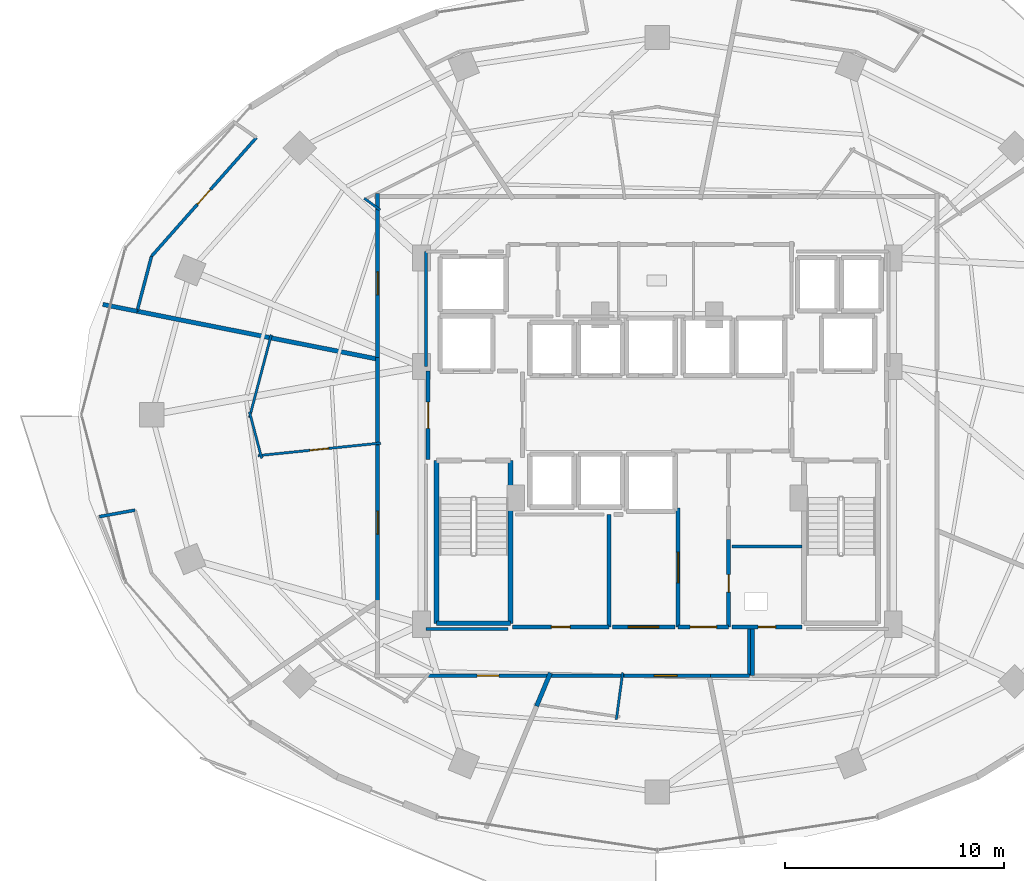
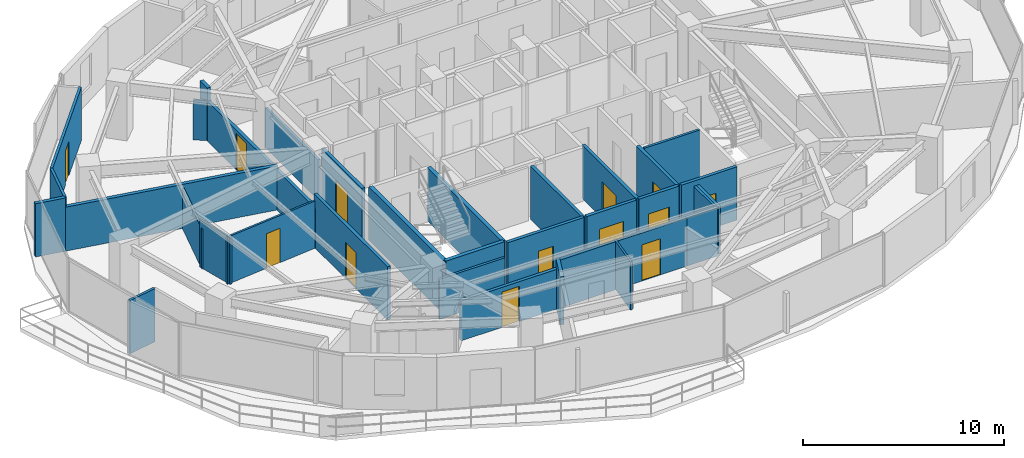
# One storey, part 23 of 30: 35 walls, 13 doors, 13 openings.
"""IFC4 building model written with IfcOpenShell, lengths in metres."""

from ifc_helpers import new_model, si_unit, direction, frame, frame_2d, origin, place, context, subcontext, project, spatial, rectangle, extrude, material, layer, layer_set, type_object, element, fill, save


model = new_model("IFC4")

# Units and contexts
model_context = context("Model", 3, precision=1e-05, world=origin(), true_north=direction((0.0, 1.0)))
body_context = subcontext(model_context, "Body", "Model", "MODEL_VIEW")
ifc_project = project(units=[si_unit("LENGTHUNIT", "METRE"), si_unit("AREAUNIT", "SQUARE_METRE"), si_unit("VOLUMEUNIT", "CUBIC_METRE"), si_unit("PLANEANGLEUNIT", "RADIAN"), si_unit("MASSUNIT", "GRAM", prefix="KILO")], contexts=[model_context])

# Site, building, storey
site_placement = place(None, origin())
site = spatial("IfcSite", under=ifc_project, at=site_placement, CompositionType="ELEMENT")
building_placement = place(site_placement, origin())
building = spatial("IfcBuilding", under=site, at=building_placement, Name="Vorneva Point Tower", CompositionType="ELEMENT")
storey_placement = place(building_placement, frame((0.0, 0.0, 78.800048828125)))
storey = spatial("IfcBuildingStorey", under=building, at=storey_placement, Name="L20", CompositionType="ELEMENT", Elevation=78.800048828125)

# Wall
ifc_material_1 = material(Name="Fire-rated acoustic gypsum stud partition", Category="gypsum")
ifc_layer_1 = layer(ifc_material_1, 0.110107421875)
ifc_layer_set_1 = layer_set([ifc_layer_1], Name="Fire-rated acoustic gypsum stud partition")
wall_type_1 = type_object("IfcWallType", Name="WL-PART-110", PredefinedType="PARTITIONING", material=ifc_layer_set_1)
wall_1_placement = place(storey_placement, frame((25.362548828125, 35.333740234375, 0.0), z_axis=(0.0, 0.0, 1.0), x_axis=(-0.804215638238, 0.594337620561, 0.0)))
element("IfcWall", 1, at=wall_1_placement, inside=storey, type_object=wall_type_1, Name="L20 Interior Partition 068", PredefinedType="PARTITIONING", context=body_context, shape_type="SweptSolid", body=[
    extrude(rectangle(XDim=0.899169921875, YDim=0.110107421875, at=frame_2d((0.44970703125, 0.0))), origin(), (0.0, 0.0, 1.0), 2.431884765625),
])

# Wall, opening, door
wall_2_placement = place(storey_placement, frame((25.389404296875, 24.708251953125, 0.0), z_axis=(0.0, 0.0, 1.0), x_axis=(-0.994782905304, -0.102014564227, 0.0)))
wall_2 = element("IfcWall", 2, at=wall_2_placement, inside=storey, type_object=wall_type_1, Name="L20 Interior Partition 076", PredefinedType="PARTITIONING", context=body_context, shape_type="SweptSolid", body=[
    extrude(rectangle(XDim=5.631103515625, YDim=0.110107421875, at=frame_2d((2.8154296875, 0.0))), origin(), (0.0, 0.0, 1.0), 2.8740234375),
])
opening_1_placement = place(wall_2_placement, frame((2.390380859375, 0.0, 0.0)))
opening_1 = element("IfcOpeningElement", 3, at=opening_1_placement, cuts=wall_2, Name="Opening ID-02", PredefinedType="OPENING", context=body_context, shape_type="SweptSolid", body=[
    extrude(rectangle(XDim=0.85009765625, YDim=2.10009765625, at=frame_2d((0.425048828125, 1.050048828125))), frame((0.0, 0.06982421875, 0.0), z_axis=(0.0, -1.0, 0.0), x_axis=(1.0, 0.0, 0.0)), (0.0, 0.0, 1.0), 0.139892578125),
])
ifc_material_2 = material(Name="Engineered oak fire-rated door leaf", Category="wood")
door_type_1 = type_object("IfcDoorType", Name="DR-BATH-850", OperationType="NOTDEFINED", PredefinedType="DOOR", material=ifc_material_2)
door_1_placement = place(opening_1_placement, origin())
door_1 = element("IfcDoor", 4, at=door_1_placement, inside=storey, type_object=door_type_1, Name="L20 Door Corner Suite L20-04 / En-Suite Bathroom L20-04", OperationType="SINGLE_SWING_LEFT", OverallHeight=2.10009765625, OverallWidth=0.85009765625, PredefinedType="DOOR", context=body_context, shape_type="SweptSolid", body=[
    extrude(rectangle(XDim=0.85009765625, YDim=2.10009765625, at=frame_2d((0.425048828125, 1.050048828125))), frame((0.0, 0.02490234375, 0.0), z_axis=(0.0, -1.0, 0.0), x_axis=(1.0, 0.0, 0.0)), (0.0, 0.0, 1.0), 0.050048828125),
])
fill(opening_1, door_1)

# Walls
wall_3_placement = place(storey_placement, frame((19.962646484375, 24.0126953125, 0.0), z_axis=(0.0, 0.0, 1.0), x_axis=(-0.254372850976, 0.967106226165, 0.0)))
element("IfcWall", 5, at=wall_3_placement, inside=storey, type_object=wall_type_1, Name="L20 Interior Partition 077", PredefinedType="PARTITIONING", context=body_context, shape_type="SweptSolid", body=[
    extrude(rectangle(XDim=2.195068359375, YDim=0.110107421875, at=frame_2d((1.09765625, 0.0))), origin(), (0.0, 0.0, 1.0), 2.8740234375),
])
wall_4_placement = place(storey_placement, frame((19.404296875, 25.864501953125, 0.0), z_axis=(0.0, 0.0, 1.0), x_axis=(0.254484072837, 0.967076965227, 0.0)))
element("IfcWall", 6, at=wall_4_placement, inside=storey, type_object=wall_type_1, Name="L20 Interior Partition 078", PredefinedType="PARTITIONING", context=body_context, shape_type="SweptSolid", body=[
    extrude(rectangle(XDim=3.907470703125, YDim=0.110107421875, at=frame_2d((1.95361328125, 0.0))), origin(), (0.0, 0.0, 1.0), 2.431884765625),
])
wall_5_placement = place(storey_placement, frame((36.420654296875, 14.23876953125, 0.0), z_axis=(0.0, 0.0, 1.0), x_axis=(-0.133358508544, -0.99106786256, 0.0)))
element("IfcWall", 7, at=wall_5_placement, inside=storey, type_object=wall_type_1, Name="L20 Interior Partition 090", PredefinedType="PARTITIONING", context=body_context, shape_type="SweptSolid", body=[
    extrude(rectangle(XDim=2.15478515625, YDim=0.110107421875, at=frame_2d((1.077392578125, 0.0))), origin(), (0.0, 0.0, 1.0), 2.921875),
])
ifc_layer_2 = layer(ifc_material_1, 0.139892578125)
ifc_layer_set_2 = layer_set([ifc_layer_2], Name="Fire-rated acoustic gypsum stud partition")
wall_type_2 = type_object("IfcWallType", Name="WL-PART-140", PredefinedType="PARTITIONING", material=ifc_layer_set_2)
wall_6_placement = place(storey_placement, frame((44.60009765625, 20.0, 0.0), z_axis=(0.0, 0.0, 1.0), x_axis=(-1.0, 0.0, 0.0)))
element("IfcWall", 8, at=wall_6_placement, inside=storey, type_object=wall_type_2, Name="L20 Interior Partition 015", PredefinedType="PARTITIONING", context=body_context, shape_type="SweptSolid", body=[
    extrude(rectangle(XDim=3.2001953125, YDim=0.139892578125, at=frame_2d((1.60009765625, 0.0))), origin(), (0.0, 0.0, 1.0), 3.239990234375),
])

# Wall, opening, door
wall_7_placement = place(storey_placement, frame((19.719970703125, 38.634033203125, 0.0), z_axis=(0.0, 0.0, 1.0), x_axis=(-0.662133761628, -0.74938566954, 0.0)))
wall_7 = element("IfcWall", 9, at=wall_7_placement, inside=storey, type_object=wall_type_2, Name="L20 Interior Partition 072", PredefinedType="PARTITIONING", context=body_context, shape_type="SweptSolid", body=[
    extrude(rectangle(XDim=7.21923828125, YDim=0.139892578125, at=frame_2d((3.609619140625, 0.0))), origin(), (0.0, 0.0, 1.0), 3.239990234375),
])
opening_2_placement = place(wall_7_placement, frame((3.15966796875, 0.0, 0.0)))
opening_2 = element("IfcOpeningElement", 10, at=opening_2_placement, cuts=wall_7, Name="Opening ID-01", PredefinedType="OPENING", context=body_context, shape_type="SweptSolid", body=[
    extrude(rectangle(XDim=0.89990234375, YDim=2.10009765625, at=frame_2d((0.449951171875, 1.050048828125))), frame((0.0, 0.0849609375, 0.0), z_axis=(0.0, -1.0, 0.0), x_axis=(1.0, 0.0, 0.0)), (0.0, 0.0, 1.0), 0.169677734375),
])
door_type_2 = type_object("IfcDoorType", Name="DR-ROOM-900", OperationType="NOTDEFINED", PredefinedType="DOOR", material=ifc_material_2)
door_2_placement = place(opening_2_placement, origin())
door_2 = element("IfcDoor", 11, at=door_2_placement, inside=storey, type_object=door_type_2, Name="L20 Door Executive Suite L20-03 / Suite Sitting Study L20-03", OperationType="SINGLE_SWING_RIGHT", OverallHeight=2.10009765625, OverallWidth=0.89990234375, PredefinedType="DOOR", context=body_context, shape_type="SweptSolid", body=[
    extrude(rectangle(XDim=0.89990234375, YDim=2.10009765625, at=frame_2d((0.449951171875, 1.050048828125))), frame((0.0, 0.02490234375, 0.0), z_axis=(0.0, -1.0, 0.0), x_axis=(1.0, 0.0, 0.0)), (0.0, 0.0, 1.0), 0.050048828125),
])
fill(opening_2, door_2)

# Walls
wall_8_placement = place(storey_placement, frame((14.93994140625, 33.22412109375, 0.0), z_axis=(0.0, 0.0, 1.0), x_axis=(-0.254289240103, -0.967128214027, 0.0)))
element("IfcWall", 12, at=wall_8_placement, inside=storey, type_object=wall_type_2, Name="L20 Interior Partition 073", PredefinedType="PARTITIONING", context=body_context, shape_type="SweptSolid", body=[
    extrude(rectangle(XDim=2.59130859375, YDim=0.139892578125, at=frame_2d((1.295654296875, 0.0))), origin(), (0.0, 0.0, 1.0), 3.239990234375),
])
wall_9_placement = place(storey_placement, frame((12.56689453125, 21.35498046875, 0.0), z_axis=(0.0, 0.0, 1.0), x_axis=(0.983774720513, 0.179408191784, 0.0)))
element("IfcWall", 13, at=wall_9_placement, inside=storey, type_object=wall_type_2, Name="L20 Interior Partition 080", PredefinedType="PARTITIONING", context=body_context, shape_type="SweptSolid", body=[
    extrude(rectangle(XDim=1.643798828125, YDim=0.139892578125, at=frame_2d((0.82177734375, 0.0))), origin(), (0.0, 0.0, 1.0), 3.239990234375),
])
wall_10_placement = place(storey_placement, frame((31.195068359375, 16.239990234375, 0.0), z_axis=(0.0, 0.0, 1.0), x_axis=(-1.0, 0.0, 0.0)))
element("IfcWall", 14, at=wall_10_placement, inside=storey, type_object=wall_type_2, Name="L20 Interior Closure Partition 108", PredefinedType="PARTITIONING", context=body_context, shape_type="SweptSolid", body=[
    extrude(rectangle(XDim=3.7451171875, YDim=0.139892578125, at=frame_2d((1.87255859375, 0.0))), origin(), (0.0, 0.0, 1.0), 2.431884765625),
])
wall_11_placement = place(storey_placement, frame((27.449951171875, 28.196044921875, 0.0), z_axis=(0.0, 0.0, 1.0), x_axis=(0.0, 1.0, 0.0)))
element("IfcWall", 15, at=wall_11_placement, inside=storey, type_object=wall_type_2, Name="L20 Interior Closure Partition 110", PredefinedType="PARTITIONING", context=body_context, shape_type="SweptSolid", body=[
    extrude(rectangle(XDim=5.25390625, YDim=0.139892578125, at=frame_2d((2.626953125, 0.0))), origin(), (0.0, 0.0, 1.0), 2.431884765625),
])

# Wall, opening, door
ifc_material_3 = material(Name="Autoclaved aerated concrete blockwork", Category="masonry")
ifc_layer_3 = layer(ifc_material_3, 0.179931640625)
ifc_layer_set_3 = layer_set([ifc_layer_3], Name="Autoclaved aerated concrete blockwork")
wall_type_3 = type_object("IfcWallType", Name="WL-PART-180", PredefinedType="PARTITIONING", material=ifc_layer_set_3)
wall_12_placement = place(storey_placement, frame((27.550048828125, 28.0, 0.0), z_axis=(0.0, 0.0, 1.0), x_axis=(0.0, -1.0, 0.0)))
wall_12 = element("IfcWall", 16, at=wall_12_placement, inside=storey, type_object=wall_type_3, Name="L20 Interior Partition 002", PredefinedType="PARTITIONING", context=body_context, shape_type="SweptSolid", body=[
    extrude(rectangle(XDim=4.050048828125, YDim=0.179931640625, at=frame_2d((2.02490234375, 0.0))), origin(), (0.0, 0.0, 1.0), 3.239990234375),
])
opening_3_placement = place(wall_12_placement, frame((1.425048828125, 0.0, 0.0)))
opening_3 = element("IfcOpeningElement", 17, at=opening_3_placement, cuts=wall_12, Name="Opening FD-02", PredefinedType="OPENING", context=body_context, shape_type="SweptSolid", body=[
    extrude(rectangle(XDim=1.199951171875, YDim=2.14990234375, at=frame_2d((0.60009765625, 1.074951171875))), frame((0.0, 0.10498046875, 0.0), z_axis=(0.0, -1.0, 0.0), x_axis=(1.0, 0.0, 0.0)), (0.0, 0.0, 1.0), 0.209716796875),
])
ifc_material_4 = material(Name="Fire-rated powder-coated steel", Category="steel")
door_type_3 = type_object("IfcDoorType", Name="DR-FFL-1200", OperationType="NOTDEFINED", PredefinedType="DOOR", material=ifc_material_4)
door_3_placement = place(opening_3_placement, origin())
door_3 = element("IfcDoor", 18, at=door_3_placement, inside=storey, type_object=door_type_3, Name="L20 Door West Firefighting Lobby / L20 Circulation Corridor", OperationType="SINGLE_SWING_RIGHT", OverallHeight=2.14990234375, OverallWidth=1.199951171875, PredefinedType="DOOR", context=body_context, shape_type="SweptSolid", body=[
    extrude(rectangle(XDim=1.199951171875, YDim=2.14990234375, at=frame_2d((0.60009765625, 1.074951171875))), frame((0.0, 0.02490234375, 0.0), z_axis=(0.0, -1.0, 0.0), x_axis=(1.0, 0.0, 0.0)), (0.0, 0.0, 1.0), 0.050048828125),
])
fill(opening_3, door_3)

wall_13_placement = place(storey_placement, frame((41.25, 16.320068359375, 0.0), z_axis=(0.0, 0.0, 1.0), x_axis=(0.0, 1.0, 0.0)))
wall_13 = element("IfcWall", 19, at=wall_13_placement, inside=storey, type_object=wall_type_3, Name="L20 Interior Partition 011", PredefinedType="PARTITIONING", context=body_context, shape_type="SweptSolid", body=[
    extrude(rectangle(XDim=3.98486328125, YDim=0.179931640625, at=frame_2d((1.992431640625, 0.0))), origin(), (0.0, 0.0, 1.0), 3.239990234375),
])
opening_4_placement = place(wall_13_placement, frame((1.592529296875, 0.0, 0.0)))
opening_4 = element("IfcOpeningElement", 20, at=opening_4_placement, cuts=wall_13, Name="Opening RD-01", PredefinedType="OPENING", context=body_context, shape_type="SweptSolid", body=[
    extrude(rectangle(XDim=0.800048828125, YDim=2.050048828125, at=frame_2d((0.39990234375, 1.02490234375))), frame((0.0, 0.10498046875, 0.0), z_axis=(0.0, -1.0, 0.0), x_axis=(1.0, 0.0, 0.0)), (0.0, 0.0, 1.0), 0.209716796875),
])
door_type_4 = type_object("IfcDoorType", Name="DR-RSR-800", OperationType="SINGLE_SWING_LEFT", PredefinedType="DOOR", material=ifc_material_4)
door_4_placement = place(opening_4_placement, origin())
door_4 = element("IfcDoor", 21, at=door_4_placement, inside=storey, type_object=door_type_4, Name="L20 Door Core Service Lobby / Electrical Riser", OperationType="SINGLE_SWING_LEFT", OverallHeight=2.050048828125, OverallWidth=0.800048828125, PredefinedType="DOOR", context=body_context, shape_type="SweptSolid", body=[
    extrude(rectangle(XDim=0.800048828125, YDim=2.050048828125, at=frame_2d((0.39990234375, 1.02490234375))), frame((0.0, 0.02490234375, 0.0), z_axis=(0.0, -1.0, 0.0), x_axis=(1.0, 0.0, 0.0)), (0.0, 0.0, 1.0), 0.050048828125),
])
fill(opening_4, door_4)

wall_14_placement = place(storey_placement, frame((38.949951171875, 21.7548828125, 0.0), z_axis=(0.0, 0.0, 1.0), x_axis=(0.0, -1.0, 0.0)))
wall_14 = element("IfcWall", 22, at=wall_14_placement, inside=storey, type_object=wall_type_3, Name="L20 Interior Partition 013", PredefinedType="PARTITIONING", context=body_context, shape_type="SweptSolid", body=[
    extrude(rectangle(XDim=5.434814453125, YDim=0.179931640625, at=frame_2d((2.71728515625, 0.0))), origin(), (0.0, 0.0, 1.0), 3.239990234375),
])
opening_5_placement = place(wall_14_placement, frame((2.017578125, 0.0, 0.0)))
opening_5 = element("IfcOpeningElement", 23, at=opening_5_placement, cuts=wall_14, Name="Opening FD-03", PredefinedType="OPENING", context=body_context, shape_type="SweptSolid", body=[
    extrude(rectangle(XDim=1.39990234375, YDim=2.199951171875, at=frame_2d((0.699951171875, 1.10009765625))), frame((0.0, 0.10498046875, 0.0), z_axis=(0.0, -1.0, 0.0), x_axis=(1.0, 0.0, 0.0)), (0.0, 0.0, 1.0), 0.209716796875),
])
door_type_5 = type_object("IfcDoorType", Name="DR-PLT-1400", OperationType="DOUBLE_SWING_LEFT", PredefinedType="DOOR", material=ifc_material_4)
door_5_placement = place(opening_5_placement, origin())
door_5 = element("IfcDoor", 24, at=door_5_placement, inside=storey, type_object=door_type_5, Name="L20 Door Core Service Lobby / Telecoms and Data Room", OperationType="DOUBLE_SWING_LEFT", OverallHeight=2.199951171875, OverallWidth=1.39990234375, PredefinedType="DOOR", context=body_context, shape_type="SweptSolid", body=[
    extrude(rectangle(XDim=1.39990234375, YDim=2.199951171875, at=frame_2d((0.699951171875, 1.10009765625))), frame((0.0, 0.02490234375, 0.0), z_axis=(0.0, -1.0, 0.0), x_axis=(1.0, 0.0, 0.0)), (0.0, 0.0, 1.0), 0.050048828125),
])
fill(opening_5, door_5)

wall_15_placement = place(storey_placement, frame((38.949951171875, 16.320068359375, 0.0), z_axis=(0.0, 0.0, 1.0), x_axis=(1.0, 0.0, 0.0)))
wall_15 = element("IfcWall", 25, at=wall_15_placement, inside=storey, type_object=wall_type_3, Name="L20 Interior Partition 014", PredefinedType="PARTITIONING", context=body_context, shape_type="SweptSolid", body=[
    extrude(rectangle(XDim=2.300048828125, YDim=0.179931640625, at=frame_2d((1.14990234375, 0.0))), origin(), (0.0, 0.0, 1.0), 3.239990234375),
])
opening_6_placement = place(wall_15_placement, frame((0.550048828125, 0.0, 0.0)))
opening_6 = element("IfcOpeningElement", 26, at=opening_6_placement, cuts=wall_15, Name="Opening FD-02", PredefinedType="OPENING", context=body_context, shape_type="SweptSolid", body=[
    extrude(rectangle(XDim=1.199951171875, YDim=2.14990234375, at=frame_2d((0.60009765625, 1.074951171875))), frame((0.0, 0.10498046875, 0.0), z_axis=(0.0, -1.0, 0.0), x_axis=(1.0, 0.0, 0.0)), (0.0, 0.0, 1.0), 0.209716796875),
])
door_6_placement = place(opening_6_placement, origin())
door_6 = element("IfcDoor", 27, at=door_6_placement, inside=storey, type_object=door_type_3, Name="L20 Door Core Service Lobby / L20 Circulation Corridor", OperationType="SINGLE_SWING_RIGHT", OverallHeight=2.14990234375, OverallWidth=1.199951171875, PredefinedType="DOOR", context=body_context, shape_type="SweptSolid", body=[
    extrude(rectangle(XDim=1.199951171875, YDim=2.14990234375, at=frame_2d((0.60009765625, 1.074951171875))), frame((0.0, 0.02490234375, 0.0), z_axis=(0.0, -1.0, 0.0), x_axis=(1.0, 0.0, 0.0)), (0.0, 0.0, 1.0), 0.050048828125),
])
fill(opening_6, door_6)

wall_16_placement = place(storey_placement, frame((41.39990234375, 16.320068359375, 0.0), z_axis=(0.0, 0.0, 1.0), x_axis=(1.0, 0.0, 0.0)))
wall_16 = element("IfcWall", 28, at=wall_16_placement, inside=storey, type_object=wall_type_3, Name="L20 Interior Partition 016", PredefinedType="PARTITIONING", context=body_context, shape_type="SweptSolid", body=[
    extrude(rectangle(XDim=3.2001953125, YDim=0.179931640625, at=frame_2d((1.60009765625, 0.0))), origin(), (0.0, 0.0, 1.0), 3.239990234375),
])
opening_7_placement = place(wall_16_placement, frame((1.199951171875, 0.0, 0.0)))
opening_7 = element("IfcOpeningElement", 29, at=opening_7_placement, cuts=wall_16, Name="Opening RD-01", PredefinedType="OPENING", context=body_context, shape_type="SweptSolid", body=[
    extrude(rectangle(XDim=0.800048828125, YDim=2.050048828125, at=frame_2d((0.39990234375, 1.02490234375))), frame((0.0, 0.10498046875, 0.0), z_axis=(0.0, -1.0, 0.0), x_axis=(1.0, 0.0, 0.0)), (0.0, 0.0, 1.0), 0.209716796875),
])
door_7_placement = place(opening_7_placement, origin())
door_7 = element("IfcDoor", 30, at=door_7_placement, inside=storey, type_object=door_type_4, Name="L20 Door Electrical Riser / L20 Circulation Corridor", OperationType="SINGLE_SWING_LEFT", OverallHeight=2.050048828125, OverallWidth=0.800048828125, PredefinedType="DOOR", context=body_context, shape_type="SweptSolid", body=[
    extrude(rectangle(XDim=0.800048828125, YDim=2.050048828125, at=frame_2d((0.39990234375, 1.02490234375))), frame((0.0, 0.02490234375, 0.0), z_axis=(0.0, -1.0, 0.0), x_axis=(1.0, 0.0, 0.0)), (0.0, 0.0, 1.0), 0.050048828125),
])
fill(opening_7, door_7)

# Wall
wall_17_placement = place(storey_placement, frame((35.800048828125, 16.320068359375, 0.0), z_axis=(0.0, 0.0, 1.0), x_axis=(0.0, 1.0, 0.0)))
element("IfcWall", 31, at=wall_17_placement, inside=storey, type_object=wall_type_3, Name="L20 Interior Partition 023", PredefinedType="PARTITIONING", context=body_context, shape_type="SweptSolid", body=[
    extrude(rectangle(XDim=5.1298828125, YDim=0.179931640625, at=frame_2d((2.56494140625, 0.0))), origin(), (0.0, 0.0, 1.0), 3.239990234375),
])

# Wall, opening, door
wall_18_placement = place(storey_placement, frame((31.39990234375, 16.320068359375, 0.0), z_axis=(0.0, 0.0, 1.0), x_axis=(1.0, 0.0, 0.0)))
wall_18 = element("IfcWall", 32, at=wall_18_placement, inside=storey, type_object=wall_type_3, Name="L20 Interior Partition 024", PredefinedType="PARTITIONING", context=body_context, shape_type="SweptSolid", body=[
    extrude(rectangle(XDim=4.400146484375, YDim=0.179931640625, at=frame_2d((2.2001953125, 0.0))), origin(), (0.0, 0.0, 1.0), 3.239990234375),
])
opening_8_placement = place(wall_18_placement, frame((1.77490234375, 0.0, 0.0)))
opening_8 = element("IfcOpeningElement", 33, at=opening_8_placement, cuts=wall_18, Name="Opening ID-02", PredefinedType="OPENING", context=body_context, shape_type="SweptSolid", body=[
    extrude(rectangle(XDim=0.85009765625, YDim=2.10009765625, at=frame_2d((0.425048828125, 1.050048828125))), frame((0.0, 0.10498046875, 0.0), z_axis=(0.0, -1.0, 0.0), x_axis=(1.0, 0.0, 0.0)), (0.0, 0.0, 1.0), 0.209716796875),
])
door_8_placement = place(opening_8_placement, origin())
door_8 = element("IfcDoor", 34, at=door_8_placement, inside=storey, type_object=door_type_1, Name="L20 Door Housekeeping Store / L20 Circulation Corridor", OperationType="SINGLE_SWING_LEFT", OverallHeight=2.10009765625, OverallWidth=0.85009765625, PredefinedType="DOOR", context=body_context, shape_type="SweptSolid", body=[
    extrude(rectangle(XDim=0.85009765625, YDim=2.10009765625, at=frame_2d((0.425048828125, 1.050048828125))), frame((0.0, 0.02490234375, 0.0), z_axis=(0.0, -1.0, 0.0), x_axis=(1.0, 0.0, 0.0)), (0.0, 0.0, 1.0), 0.050048828125),
])
fill(opening_8, door_8)

wall_19_placement = place(storey_placement, frame((35.949951171875, 16.320068359375, 0.0), z_axis=(0.0, 0.0, 1.0), x_axis=(1.0, 0.0, 0.0)))
wall_19 = element("IfcWall", 35, at=wall_19_placement, inside=storey, type_object=wall_type_3, Name="L20 Interior Partition 025", PredefinedType="PARTITIONING", context=body_context, shape_type="SweptSolid", body=[
    extrude(rectangle(XDim=2.85009765625, YDim=0.179931640625, at=frame_2d((1.425048828125, 0.0))), origin(), (0.0, 0.0, 1.0), 3.239990234375),
])
opening_9_placement = place(wall_19_placement, frame((0.72509765625, 0.0, 0.0)))
opening_9 = element("IfcOpeningElement", 36, at=opening_9_placement, cuts=wall_19, Name="Opening FD-03", PredefinedType="OPENING", context=body_context, shape_type="SweptSolid", body=[
    extrude(rectangle(XDim=1.39990234375, YDim=2.199951171875, at=frame_2d((0.699951171875, 1.10009765625))), frame((0.0, 0.10498046875, 0.0), z_axis=(0.0, -1.0, 0.0), x_axis=(1.0, 0.0, 0.0)), (0.0, 0.0, 1.0), 0.209716796875),
])
door_9_placement = place(opening_9_placement, origin())
door_9 = element("IfcDoor", 37, at=door_9_placement, inside=storey, type_object=door_type_5, Name="L20 Door Telecoms and Data Room / L20 Circulation Corridor", OperationType="DOUBLE_SWING_LEFT", OverallHeight=2.199951171875, OverallWidth=1.39990234375, PredefinedType="DOOR", context=body_context, shape_type="SweptSolid", body=[
    extrude(rectangle(XDim=1.39990234375, YDim=2.199951171875, at=frame_2d((0.699951171875, 1.10009765625))), frame((0.0, 0.02490234375, 0.0), z_axis=(0.0, -1.0, 0.0), x_axis=(1.0, 0.0, 0.0)), (0.0, 0.0, 1.0), 0.050048828125),
])
fill(opening_9, door_9)

wall_20_placement = place(storey_placement, frame((25.25, 35.491943359375, 0.0), z_axis=(0.0, 0.0, 1.0), x_axis=(0.0, -1.0, 0.0)))
wall_20 = element("IfcWall", 38, at=wall_20_placement, inside=storey, type_object=wall_type_3, Name="L20 Interior Partition 031", PredefinedType="PARTITIONING", context=body_context, shape_type="SweptSolid", body=[
    extrude(rectangle(XDim=7.015869140625, YDim=0.179931640625, at=frame_2d((3.5078125, 0.0))), origin(), (0.0, 0.0, 1.0), 2.431884765625),
])
opening_10_placement = place(wall_20_placement, frame((2.98291015625, 0.0, 0.0)))
opening_10 = element("IfcOpeningElement", 39, at=opening_10_placement, cuts=wall_20, Name="Opening UD-02", PredefinedType="OPENING", context=body_context, shape_type="SweptSolid", body=[
    extrude(rectangle(XDim=1.050048828125, YDim=2.199951171875, at=frame_2d((0.52490234375, 1.10009765625))), frame((0.0, 0.10498046875, 0.0), z_axis=(0.0, -1.0, 0.0), x_axis=(1.0, 0.0, 0.0)), (0.0, 0.0, 1.0), 0.209716796875),
])
door_type_6 = type_object("IfcDoorType", Name="DR-SUITE-1050", OperationType="NOTDEFINED", PredefinedType="DOOR", material=ifc_material_2)
door_10_placement = place(opening_10_placement, origin())
door_10 = element("IfcDoor", 40, at=door_10_placement, inside=storey, type_object=door_type_6, Name="L20 Door L20 Circulation Corridor / Executive Suite L20-03", OperationType="SINGLE_SWING_LEFT", OverallHeight=2.199951171875, OverallWidth=1.050048828125, PredefinedType="DOOR", context=body_context, shape_type="SweptSolid", body=[
    extrude(rectangle(XDim=1.050048828125, YDim=2.199951171875, at=frame_2d((0.52490234375, 1.10009765625))), frame((0.0, 0.02490234375, 0.0), z_axis=(0.0, -1.0, 0.0), x_axis=(1.0, 0.0, 0.0)), (0.0, 0.0, 1.0), 0.050048828125),
])
fill(opening_10, door_10)

# Wall
wall_21_placement = place(storey_placement, frame((25.25, 36.090087890625, 0.0), z_axis=(0.0, 0.0, 1.0), x_axis=(0.0, -1.0, 0.0)))
element("IfcWall", 41, at=wall_21_placement, inside=storey, type_object=wall_type_3, Name="L20 Interior Partition 033", PredefinedType="PARTITIONING", context=body_context, shape_type="SweptSolid", body=[
    extrude(rectangle(XDim=0.738037109375, YDim=0.179931640625, at=frame_2d((0.369140625, 0.0))), origin(), (0.0, 0.0, 1.0), 3.239990234375),
])

# Wall, opening, door
wall_22_placement = place(storey_placement, frame((25.25, 24.75390625, 0.0), z_axis=(0.0, 0.0, 1.0), x_axis=(0.0, -1.0, 0.0)))
wall_22 = element("IfcWall", 42, at=wall_22_placement, inside=storey, type_object=wall_type_3, Name="L20 Interior Partition 034", PredefinedType="PARTITIONING", context=body_context, shape_type="SweptSolid", body=[
    extrude(rectangle(XDim=7.344970703125, YDim=0.179931640625, at=frame_2d((3.67236328125, 0.0))), origin(), (0.0, 0.0, 1.0), 3.239990234375),
])
opening_11_placement = place(wall_22_placement, frame((3.1474609375, 0.0, 0.0)))
opening_11 = element("IfcOpeningElement", 43, at=opening_11_placement, cuts=wall_22, Name="Opening UD-02", PredefinedType="OPENING", context=body_context, shape_type="SweptSolid", body=[
    extrude(rectangle(XDim=1.050048828125, YDim=2.199951171875, at=frame_2d((0.52490234375, 1.10009765625))), frame((0.0, 0.10498046875, 0.0), z_axis=(0.0, -1.0, 0.0), x_axis=(1.0, 0.0, 0.0)), (0.0, 0.0, 1.0), 0.209716796875),
])
door_11_placement = place(opening_11_placement, origin())
door_11 = element("IfcDoor", 44, at=door_11_placement, inside=storey, type_object=door_type_6, Name="L20 Door L20 Circulation Corridor / Corner Suite L20-04", OperationType="SINGLE_SWING_RIGHT", OverallHeight=2.199951171875, OverallWidth=1.050048828125, PredefinedType="DOOR", context=body_context, shape_type="SweptSolid", body=[
    extrude(rectangle(XDim=1.050048828125, YDim=2.199951171875, at=frame_2d((0.52490234375, 1.10009765625))), frame((0.0, 0.02490234375, 0.0), z_axis=(0.0, -1.0, 0.0), x_axis=(1.0, 0.0, 0.0)), (0.0, 0.0, 1.0), 0.050048828125),
])
fill(opening_11, door_11)

# Wall
wall_23_placement = place(storey_placement, frame((25.25, 28.615966796875, 0.0), z_axis=(0.0, 0.0, 1.0), x_axis=(0.0, -1.0, 0.0)))
element("IfcWall", 45, at=wall_23_placement, inside=storey, type_object=wall_type_3, Name="L20 Interior Partition 035", PredefinedType="PARTITIONING", context=body_context, shape_type="SweptSolid", body=[
    extrude(rectangle(XDim=4.001953125, YDim=0.179931640625, at=frame_2d((2.0009765625, 0.0))), origin(), (0.0, 0.0, 1.0), 2.431884765625),
])

# Wall, opening, door
wall_24_placement = place(storey_placement, frame((27.428955078125, 14.10009765625, 0.0), z_axis=(0.0, 0.0, 1.0), x_axis=(1.0, 0.0, 0.0)))
wall_24 = element("IfcWall", 46, at=wall_24_placement, inside=storey, type_object=wall_type_3, Name="L20 Interior Partition 036", PredefinedType="PARTITIONING", context=body_context, shape_type="SweptSolid", body=[
    extrude(rectangle(XDim=5.7021484375, YDim=0.179931640625, at=frame_2d((2.85107421875, 0.0))), origin(), (0.0, 0.0, 1.0), 2.431884765625),
])
opening_12_placement = place(wall_24_placement, frame((2.35107421875, 0.0, 0.0)))
opening_12 = element("IfcOpeningElement", 47, at=opening_12_placement, cuts=wall_24, Name="Opening UD-01", PredefinedType="OPENING", context=body_context, shape_type="SweptSolid", body=[
    extrude(rectangle(XDim=1.0, YDim=2.14990234375, at=frame_2d((0.5, 1.074951171875))), frame((0.0, 0.10498046875, 0.0), z_axis=(0.0, -1.0, 0.0), x_axis=(1.0, 0.0, 0.0)), (0.0, 0.0, 1.0), 0.209716796875),
])
door_type_7 = type_object("IfcDoorType", Name="DR-UNIT-1000", OperationType="NOTDEFINED", PredefinedType="DOOR", material=ifc_material_2)
door_12_placement = place(opening_12_placement, origin())
door_12 = element("IfcDoor", 48, at=door_12_placement, inside=storey, type_object=door_type_7, Name="L20 Door L20 Circulation Corridor / Deluxe Guest Room L20-05", OperationType="SINGLE_SWING_LEFT", OverallHeight=2.14990234375, OverallWidth=1.0, PredefinedType="DOOR", context=body_context, shape_type="SweptSolid", body=[
    extrude(rectangle(XDim=1.0, YDim=2.14990234375, at=frame_2d((0.5, 1.074951171875))), frame((0.0, 0.02490234375, 0.0), z_axis=(0.0, -1.0, 0.0), x_axis=(1.0, 0.0, 0.0)), (0.0, 0.0, 1.0), 0.050048828125),
])
fill(opening_12, door_12)

wall_25_placement = place(storey_placement, frame((36.341064453125, 14.10009765625, 0.0), z_axis=(0.0, 0.0, 1.0), x_axis=(1.0, 0.0, 0.0)))
wall_25 = element("IfcWall", 49, at=wall_25_placement, inside=storey, type_object=wall_type_3, Name="L20 Interior Partition 039", PredefinedType="PARTITIONING", context=body_context, shape_type="SweptSolid", body=[
    extrude(rectangle(XDim=4.0869140625, YDim=0.179931640625, at=frame_2d((2.04345703125, 0.0))), origin(), (0.0, 0.0, 1.0), 2.921875),
])
opening_13_placement = place(wall_25_placement, frame((1.5185546875, 0.0, 0.0)))
opening_13 = element("IfcOpeningElement", 50, at=opening_13_placement, cuts=wall_25, Name="Opening UD-02", PredefinedType="OPENING", context=body_context, shape_type="SweptSolid", body=[
    extrude(rectangle(XDim=1.050048828125, YDim=2.199951171875, at=frame_2d((0.52490234375, 1.10009765625))), frame((0.0, 0.10498046875, 0.0), z_axis=(0.0, -1.0, 0.0), x_axis=(1.0, 0.0, 0.0)), (0.0, 0.0, 1.0), 0.209716796875),
])
door_13_placement = place(opening_13_placement, origin())
door_13 = element("IfcDoor", 51, at=door_13_placement, inside=storey, type_object=door_type_6, Name="L20 Door L20 Circulation Corridor / Executive Suite L20-06", OperationType="SINGLE_SWING_RIGHT", OverallHeight=2.199951171875, OverallWidth=1.050048828125, PredefinedType="DOOR", context=body_context, shape_type="SweptSolid", body=[
    extrude(rectangle(XDim=1.050048828125, YDim=2.199951171875, at=frame_2d((0.52490234375, 1.10009765625))), frame((0.0, 0.02490234375, 0.0), z_axis=(0.0, -1.0, 0.0), x_axis=(1.0, 0.0, 0.0)), (0.0, 0.0, 1.0), 0.050048828125),
])
fill(opening_13, door_13)

# Walls
wall_26_placement = place(storey_placement, frame((32.990966796875, 14.10009765625, 0.0), z_axis=(0.0, 0.0, 1.0), x_axis=(1.0, 0.0, 0.0)))
element("IfcWall", 52, at=wall_26_placement, inside=storey, type_object=wall_type_3, Name="L20 Interior Partition 040", PredefinedType="PARTITIONING", context=body_context, shape_type="SweptSolid", body=[
    extrude(rectangle(XDim=3.489990234375, YDim=0.179931640625, at=frame_2d((1.7451171875, 0.0))), origin(), (0.0, 0.0, 1.0), 2.921875),
])
wall_27_placement = place(storey_placement, frame((42.340087890625, 16.239990234375, 0.0), z_axis=(0.0, 0.0, 1.0), x_axis=(0.0, -1.0, 0.0)))
element("IfcWall", 53, at=wall_27_placement, inside=storey, type_object=wall_type_3, Name="L20 Interior Partition 041", PredefinedType="PARTITIONING", context=body_context, shape_type="SweptSolid", body=[
    extrude(rectangle(XDim=2.139892578125, YDim=0.179931640625, at=frame_2d((1.06982421875, 0.0))), origin(), (0.0, 0.0, 1.0), 2.921875),
])
wall_28_placement = place(storey_placement, frame((40.427978515625, 14.10009765625, 0.0), z_axis=(0.0, 0.0, 1.0), x_axis=(1.0, 0.0, 0.0)))
element("IfcWall", 54, at=wall_28_placement, inside=storey, type_object=wall_type_3, Name="L20 Interior Partition 044", PredefinedType="PARTITIONING", context=body_context, shape_type="SweptSolid", body=[
    extrude(rectangle(XDim=1.77197265625, YDim=0.179931640625, at=frame_2d((0.885986328125, 0.0))), origin(), (0.0, 0.0, 1.0), 2.921875),
])
wall_29_placement = place(storey_placement, frame((42.199951171875, 14.10009765625, 0.0), z_axis=(0.0, 0.0, 1.0), x_axis=(0.0, 1.0, 0.0)))
element("IfcWall", 55, at=wall_29_placement, inside=storey, type_object=wall_type_3, Name="L20 Interior Partition 045", PredefinedType="PARTITIONING", context=body_context, shape_type="SweptSolid", body=[
    extrude(rectangle(XDim=2.139892578125, YDim=0.179931640625, at=frame_2d((1.06982421875, 0.0))), origin(), (0.0, 0.0, 1.0), 2.921875),
])
ifc_layer_4 = layer(ifc_material_3, 0.199951171875)
ifc_layer_set_4 = layer_set([ifc_layer_4], Name="Autoclaved aerated concrete blockwork")
wall_type_4 = type_object("IfcWallType", Name="WL-PART-200", PredefinedType="PARTITIONING", material=ifc_layer_set_4)
wall_30_placement = place(storey_placement, frame((14.281005859375, 30.718017578125, 0.0), z_axis=(0.0, 0.0, 1.0), x_axis=(0.980780826537, -0.19511271178, 0.0)))
element("IfcWall", 56, at=wall_30_placement, inside=storey, type_object=wall_type_4, Name="L20 Interior Partition 074", PredefinedType="PARTITIONING", context=body_context, shape_type="SweptSolid", body=[
    extrude(rectangle(XDim=11.183837890625, YDim=0.199951171875, at=frame_2d((5.591796875, 0.0))), origin(), (0.0, 0.0, 1.0), 2.677001953125),
])
wall_31_placement = place(storey_placement, frame((12.719970703125, 31.029052734375, 0.0), z_axis=(0.0, 0.0, 1.0), x_axis=(0.98072200318, -0.195408168916, 0.0)))
element("IfcWall", 57, at=wall_31_placement, inside=storey, type_object=wall_type_4, Name="L20 Interior Partition 075", PredefinedType="PARTITIONING", context=body_context, shape_type="SweptSolid", body=[
    extrude(rectangle(XDim=1.591796875, YDim=0.199951171875, at=frame_2d((0.7958984375, 0.0))), origin(), (0.0, 0.0, 1.0), 3.239990234375),
])
wall_32_placement = place(storey_placement, frame((32.496826171875, 12.71484375, 0.0), z_axis=(0.0, 0.0, 1.0), x_axis=(0.382891039503, 0.923793511489, 0.0)))
element("IfcWall", 58, at=wall_32_placement, inside=storey, type_object=wall_type_4, Name="L20 Interior Partition 089", PredefinedType="PARTITIONING", context=body_context, shape_type="SweptSolid", body=[
    extrude(rectangle(XDim=1.639404296875, YDim=0.199951171875, at=frame_2d((0.81982421875, 0.0))), origin(), (0.0, 0.0, 1.0), 2.921875),
])
ifc_material_5 = material(Name="Concrete B50 (C40/50)", Category="concrete")
ifc_layer_5 = layer(ifc_material_5, 0.219970703125)
ifc_layer_set_5 = layer_set([ifc_layer_5], Name="Concrete B50 (C40/50)")
wall_type_5 = type_object("IfcWallType", Name="WL-SHFT-220", PredefinedType="SOLIDWALL", material=ifc_layer_set_5)
wall_33_placement = place(storey_placement, frame((31.31005859375, 23.909912109375, 0.0), z_axis=(0.0, 0.0, 1.0), x_axis=(0.0, -1.0, 0.0)))
element("IfcWall", 59, at=wall_33_placement, inside=storey, type_object=wall_type_5, Name="L20 Exit Stair ST1 Shaft Wall right", PredefinedType="SOLIDWALL", context=body_context, shape_type="SweptSolid", body=[
    extrude(rectangle(XDim=7.419921875, YDim=0.219970703125, at=frame_2d((3.7099609375, 0.0))), origin(), (0.0, 0.0, 1.0), 3.239990234375),
])
wall_34_placement = place(storey_placement, frame((31.31005859375, 16.489990234375, 0.0), z_axis=(0.0, 0.0, 1.0), x_axis=(-1.0, 0.0, 0.0)))
element("IfcWall", 60, at=wall_34_placement, inside=storey, type_object=wall_type_5, Name="L20 Exit Stair ST1 Shaft Wall far", PredefinedType="SOLIDWALL", context=body_context, shape_type="SweptSolid", body=[
    extrude(rectangle(XDim=3.3701171875, YDim=0.219970703125, at=frame_2d((1.68505859375, 0.0))), origin(), (0.0, 0.0, 1.0), 3.239990234375),
])
wall_35_placement = place(storey_placement, frame((27.93994140625, 16.489990234375, 0.0), z_axis=(0.0, 0.0, 1.0), x_axis=(0.0, 1.0, 0.0)))
element("IfcWall", 61, at=wall_35_placement, inside=storey, type_object=wall_type_5, Name="L20 Exit Stair ST1 Shaft Wall left", PredefinedType="SOLIDWALL", context=body_context, shape_type="SweptSolid", body=[
    extrude(rectangle(XDim=7.419921875, YDim=0.219970703125, at=frame_2d((3.7099609375, 0.0))), origin(), (0.0, 0.0, 1.0), 3.239990234375),
])

save(model, "model.ifc")
